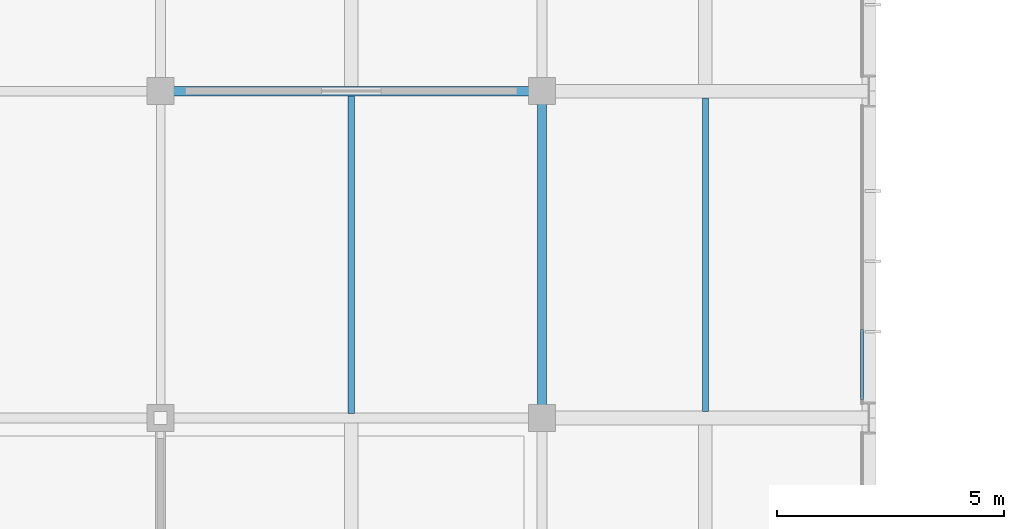
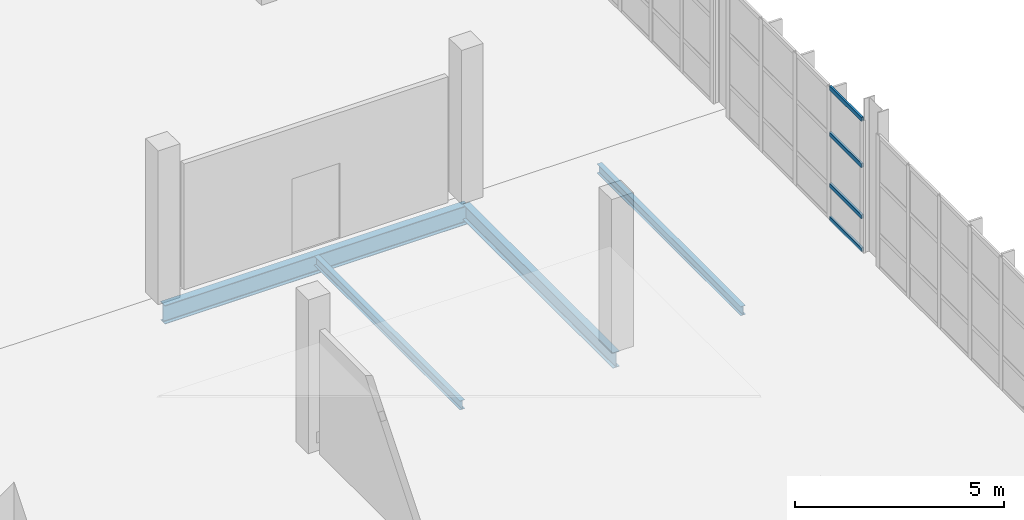
# One storey, part 71 of 113: 4 beams, 4 members, 1 element without a shape of its own.
"""IFC4 building model written with IfcOpenShell, lengths in metres."""

from ifc_helpers import new_model, si_unit, direction, frame, origin, origin_2d, place, context, subcontext, project, spatial, hollow_rectangle, i_section, extrude, material, material_profile, profile_set, type_object, element, aggregate, save


model = new_model("IFC4")

# Units and contexts
model_context = context("Model", 3, precision=1e-05, world=origin(), true_north=direction((0.0, 1.0)))
body_context = subcontext(model_context, "Body", "Model", "MODEL_VIEW")
ifc_project = project(units=[si_unit("LENGTHUNIT", "METRE"), si_unit("AREAUNIT", "SQUARE_METRE"), si_unit("VOLUMEUNIT", "CUBIC_METRE"), si_unit("PLANEANGLEUNIT", "RADIAN"), si_unit("MASSUNIT", "GRAM", prefix="KILO")], contexts=[model_context])

# Site, building, storey
site_placement = place(None, origin())
site = spatial("IfcSite", under=ifc_project, at=site_placement, CompositionType="ELEMENT")
building_placement = place(site_placement, origin())
building = spatial("IfcBuilding", under=site, at=building_placement, Name="Veltarok Museum of Natural Sciences", CompositionType="ELEMENT")
storey_placement = place(building_placement, frame((0.0, 0.0, 8.39990234375)))
storey = spatial("IfcBuildingStorey", under=building, at=storey_placement, Name="L01", CompositionType="ELEMENT", Elevation=8.39990234375)

# Beam
ifc_material_1 = material(Name="Steel S355J2", Category="steel")
ifc_material_profile_1 = material_profile(ifc_material_1, i_section(OverallWidth=0.2099609375, OverallDepth=0.550048828125, WebThickness=0.010986328125, FlangeThickness=0.01708984375, FilletRadius=0.02392578125, at=origin_2d()), Name="IPE 550")
ifc_profile_set_1 = profile_set([ifc_material_profile_1], Name="Steel S355J2")
beam_type_1 = type_object("IfcBeamType", Name="Archive Heavy Girder IPE 550", PredefinedType="BEAM", material=ifc_profile_set_1)
beam_1_placement = place(storey_placement, frame((149.199951171875, 26.39990234375, -0.52490234375), z_axis=(1.0, 0.0, 0.0), x_axis=(0.0, 1.0, 0.0)))
element("IfcBeam", 1, at=beam_1_placement, inside=storey, type_object=beam_type_1, Name="Beam BM-G03 L01 18-19/D", PredefinedType="BEAM", context=body_context, shape_type="SweptSolid", body=[
    extrude(i_section(OverallWidth=0.2099609375, OverallDepth=0.550048828125, WebThickness=0.010986328125, FlangeThickness=0.01708984375, FilletRadius=0.02392578125, at=origin_2d()), origin(), (0.0, 0.0, 1.0), 8.400146484375),
])

# Curtain wall, members
ifc_material_2 = material(Name="Low-iron triple insulated glass", Category="glass")
curtain_wall_type = type_object("IfcCurtainWallType", Name="Curtain Wall System CW-V5E-L01-C-650x388 (V5 East Lab L01 C-D 650x388cm)", PredefinedType="NOTDEFINED", material=ifc_material_2)
curtain_wall_placement = place(storey_placement, origin())
curtain_wall = element("IfcCurtainWall", 2, at=curtain_wall_placement, inside=storey, type_object=curtain_wall_type, Name="Curtain Wall CW-V5E-L01-C-650x388 CW-0104", PredefinedType="NOTDEFINED")
ifc_material_3 = material(Name="Thermally broken anodised aluminium", Category="aluminium")
ifc_material_profile_2 = material_profile(ifc_material_3, hollow_rectangle(XDim=0.06005859375, YDim=0.1201171875, WallThickness=0.0048828125, at=origin_2d()), Name="CW TRANSOM 60x120x5")
ifc_profile_set_2 = profile_set([ifc_material_profile_2], Name="Thermally broken anodised aluminium")
member_type = type_object("IfcMemberType", Name="Curtain Wall Horizontal Transom 60x120x5", PredefinedType="USERDEFINED", material=ifc_profile_set_2)
member_1_placement = place(storey_placement, frame((164.64990234375, 19.610107421875, 0.030029296875), z_axis=(0.0, 1.0, 0.0), x_axis=(-1.0, 0.0, 0.0)))
member_1 = element("IfcMember", 3, at=member_1_placement, type_object=member_type, Name="CW-V5E-L01-C-650x388 transom 1.1", ObjectType="TRANSOM", PredefinedType="USERDEFINED", context=body_context, shape_type="SweptSolid", body=[
    extrude(hollow_rectangle(XDim=0.06005859375, YDim=0.1201171875, WallThickness=0.0048828125, at=origin_2d()), origin(), (0.0, 0.0, 1.0), 1.534912109375),
])
member_2_placement = place(storey_placement, frame((164.64990234375, 19.610107421875, 1.0), z_axis=(0.0, 1.0, 0.0), x_axis=(-1.0, 0.0, 0.0)))
member_2 = element("IfcMember", 4, at=member_2_placement, type_object=member_type, Name="CW-V5E-L01-C-650x388 transom 1.2", ObjectType="TRANSOM", PredefinedType="USERDEFINED", context=body_context, shape_type="SweptSolid", body=[
    extrude(hollow_rectangle(XDim=0.06005859375, YDim=0.1201171875, WallThickness=0.0048828125, at=origin_2d()), origin(), (0.0, 0.0, 1.0), 1.534912109375),
])
member_3_placement = place(storey_placement, frame((164.64990234375, 19.610107421875, 2.5), z_axis=(0.0, 1.0, 0.0), x_axis=(-1.0, 0.0, 0.0)))
member_3 = element("IfcMember", 5, at=member_3_placement, type_object=member_type, Name="CW-V5E-L01-C-650x388 transom 1.3", ObjectType="TRANSOM", PredefinedType="USERDEFINED", context=body_context, shape_type="SweptSolid", body=[
    extrude(hollow_rectangle(XDim=0.06005859375, YDim=0.1201171875, WallThickness=0.0048828125, at=origin_2d()), origin(), (0.0, 0.0, 1.0), 1.534912109375),
])
member_4_placement = place(storey_placement, frame((164.64990234375, 19.610107421875, 3.85009765625), z_axis=(0.0, 1.0, 0.0), x_axis=(-1.0, 0.0, 0.0)))
member_4 = element("IfcMember", 6, at=member_4_placement, type_object=member_type, Name="CW-V5E-L01-C-650x388 transom 1.4", ObjectType="TRANSOM", PredefinedType="USERDEFINED", context=body_context, shape_type="SweptSolid", body=[
    extrude(hollow_rectangle(XDim=0.06005859375, YDim=0.1201171875, WallThickness=0.0048828125, at=origin_2d()), origin(), (0.0, 0.0, 1.0), 1.534912109375),
])
aggregate(curtain_wall, [member_1, member_2, member_3, member_4])

# Beams
ifc_material_profile_3 = material_profile(ifc_material_1, i_section(OverallWidth=0.18994140625, OverallDepth=0.449951171875, WebThickness=0.009521484375, FlangeThickness=0.0146484375, FilletRadius=0.02099609375, at=origin_2d()), Name="IPE 450")
ifc_profile_set_3 = profile_set([ifc_material_profile_3], Name="Steel S355J2")
beam_type_2 = type_object("IfcBeamType", Name="Laboratory Floor Girder IPE 450", PredefinedType="BEAM", material=ifc_profile_set_3)
beam_2_placement = place(storey_placement, frame((157.60009765625, 19.199951171875, -0.474853515625), z_axis=(0.0, 1.0, 0.0), x_axis=(-1.0, 0.0, 0.0)))
element("IfcBeam", 7, at=beam_2_placement, inside=storey, type_object=beam_type_2, Name="Beam BM-G05 L01 19/C-D", PredefinedType="BEAM", context=body_context, shape_type="SweptSolid", body=[
    extrude(i_section(OverallWidth=0.18994140625, OverallDepth=0.449951171875, WebThickness=0.009521484375, FlangeThickness=0.0146484375, FilletRadius=0.02099609375, at=origin_2d()), origin(), (0.0, 0.0, 1.0), 7.199951171875),
])
ifc_material_profile_4 = material_profile(ifc_material_1, i_section(OverallWidth=0.135009765625, OverallDepth=0.27001953125, WebThickness=0.006591796875, FlangeThickness=0.01025390625, FilletRadius=0.014892578125, at=origin_2d()), Name="IPE 270")
ifc_profile_set_4 = profile_set([ifc_material_profile_4], Name="Steel S355J2")
beam_type_3 = type_object("IfcBeamType", Name="Short-Bay Composite Joist IPE 270", PredefinedType="JOIST", material=ifc_profile_set_4)
beam_3_placement = place(storey_placement, frame((153.39990234375, 19.302978515625, -0.385009765625), z_axis=(0.0, 1.0, 0.0), x_axis=(-1.0, 0.0, 0.0)))
element("IfcBeam", 8, at=beam_3_placement, inside=storey, type_object=beam_type_3, Name="Secondary Joist BM-J04 L01 18-19/C-D.1", PredefinedType="JOIST", context=body_context, shape_type="SweptSolid", body=[
    extrude(i_section(OverallWidth=0.135009765625, OverallDepth=0.27001953125, WebThickness=0.006591796875, FlangeThickness=0.01025390625, FilletRadius=0.014892578125, at=origin_2d()), origin(), (0.0, 0.0, 1.0), 6.994140625),
])
beam_4_placement = place(storey_placement, frame((161.199951171875, 19.347900390625, -0.385009765625), z_axis=(0.0, 1.0, 0.0), x_axis=(-1.0, 0.0, 0.0)))
element("IfcBeam", 9, at=beam_4_placement, inside=storey, type_object=beam_type_3, Name="Secondary Joist BM-J04 L01 19-20/C-D.1", PredefinedType="JOIST", context=body_context, shape_type="SweptSolid", body=[
    extrude(i_section(OverallWidth=0.135009765625, OverallDepth=0.27001953125, WebThickness=0.006591796875, FlangeThickness=0.01025390625, FilletRadius=0.014892578125, at=origin_2d()), origin(), (0.0, 0.0, 1.0), 6.904052734375),
])

save(model, "model.ifc")
